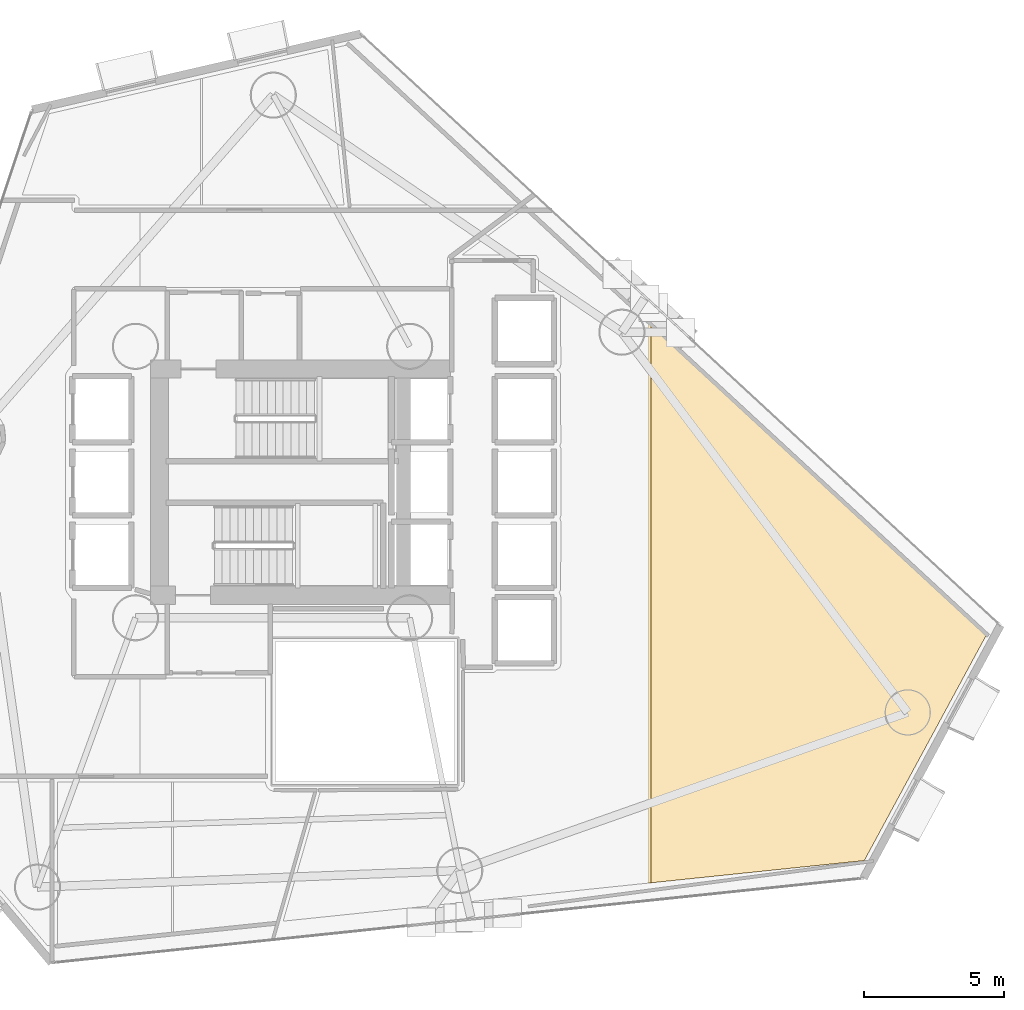
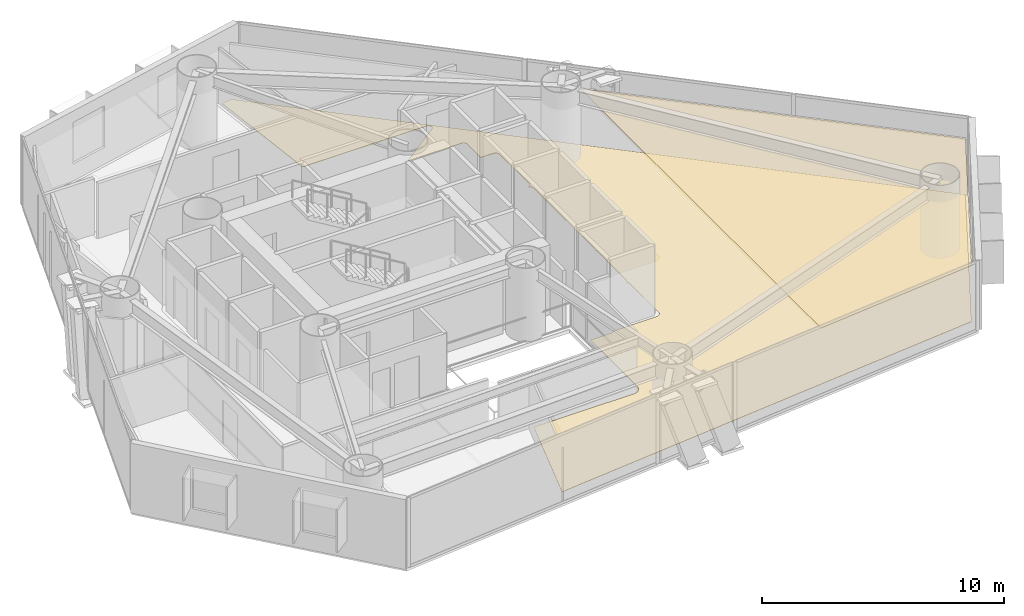
# One storey, part 23 of 23: 2 coverings.
"""IFC4 building model written with IfcOpenShell, lengths in metres."""

import ifcopenshell
import ifcopenshell.guid

model = None  # the IFC model being written
_history = None  # IfcOwnerHistory: only IFC2X3 demands one
_inside = {}  # id of a spatial element -> (the spatial element, [elements in it])
_under = {}  # id of a project, library or spatial element -> (it, [spatial elements below it])
_declared = {}  # id of a project -> (the project, [libraries it declares])
_typed = {}  # id of a type object -> (the type object, [elements of that type])
_made_of = {}  # id of a material, layer set ... -> (it, [elements and type objects made of it])


def new_model(schema):
    """Start an empty IFC model of exactly this schema.

    Asked for "IFC4X3", IfcOpenShell would pick the latest addendum, in which some entities
    have other attributes; the version numbers below select the first issue.
    IFC2X3 requires an IfcOwnerHistory on every rooted entity: one is made here for all.
    """
    global model, _history
    if schema == "IFC4X3":
        model = ifcopenshell.file(schema_version=(4, 3, 0, 0))
    else:
        model = ifcopenshell.file(schema=schema)
    _inside.clear()
    _under.clear()
    _declared.clear()
    _typed.clear()
    _made_of.clear()
    _history = None
    if model.schema == "IFC2X3":
        org = make("IfcOrganization", Name="unknown")
        user = make(
            "IfcPersonAndOrganization",
            ThePerson=make("IfcPerson", FamilyName="unknown"),
            TheOrganization=org,
        )
        app = make(
            "IfcApplication",
            ApplicationDeveloper=org,
            Version="unknown",
            ApplicationFullName="unknown",
            ApplicationIdentifier="unknown",
        )
        _history = make(
            "IfcOwnerHistory",
            OwningUser=user,
            OwningApplication=app,
            ChangeAction="ADDED",
            CreationDate=0,
        )
    return model


def make(cls, **values):
    """One entity of the class cls with the attributes given. An attribute that is None is left unset."""
    return model.create_entity(
        cls, **{name: value for name, value in values.items() if value is not None}
    )


def rooted(cls, **values):
    """An entity with a GlobalId (a new one), such as an element, a storey or a relation."""
    return make(cls, GlobalId=ifcopenshell.guid.new(), OwnerHistory=_history, **values)


def si_unit(unit_type, name, prefix=None):
    """IfcSIUnit, for example si_unit("LENGTHUNIT", "METRE", prefix="MILLI")."""
    return make("IfcSIUnit", UnitType=unit_type, Prefix=prefix, Name=name)


def assignment(units):
    """IfcUnitAssignment: the units of a project."""
    return None if units is None else make("IfcUnitAssignment", Units=units)


def point(xyz):
    """IfcCartesianPoint."""
    return None if xyz is None else make("IfcCartesianPoint", Coordinates=xyz)


def direction(xyz):
    """IfcDirection."""
    return None if xyz is None else make("IfcDirection", DirectionRatios=xyz)


def frame(location, z_axis=None, x_axis=None):
    """IfcAxis2Placement3D, a coordinate frame: its origin and axes. An axis left out is left unset."""
    return make(
        "IfcAxis2Placement3D",
        Location=point(location),
        Axis=direction(z_axis),
        RefDirection=direction(x_axis),
    )


def origin():
    """The frame at (0, 0, 0) with its axes left unset."""
    return frame((0.0, 0.0, 0.0))


def place(relative_to, where):
    """IfcLocalPlacement: puts the frame where relative to a parent placement (None: the world)."""
    return make(
        "IfcLocalPlacement", PlacementRelTo=relative_to, RelativePlacement=where
    )


def context(
    kind, dimensions, precision=None, world=None, true_north=None, identifier=None
):
    """IfcGeometricRepresentationContext, for example the 3D "Model" context."""
    return make(
        "IfcGeometricRepresentationContext",
        ContextIdentifier=identifier,
        ContextType=kind,
        CoordinateSpaceDimension=dimensions,
        Precision=precision,
        WorldCoordinateSystem=world,
        TrueNorth=true_north,
    )


def subcontext(parent, identifier, kind, view, scale=None):
    """IfcGeometricRepresentationSubContext, for example "Body" below "Model"."""
    return make(
        "IfcGeometricRepresentationSubContext",
        ContextIdentifier=identifier,
        ContextType=kind,
        ParentContext=parent,
        TargetScale=scale,
        TargetView=view,
    )


def project(units=None, contexts=None):
    """IfcProject with its units and contexts."""
    return rooted(
        "IfcProject",
        Name="project",
        RepresentationContexts=contexts,
        UnitsInContext=assignment(units),
    )


def spatial(cls, under=None, at=None, **own):
    """A site, building, storey or space (cls), placed at a placement, below another one or the project."""
    s = rooted(cls, ObjectPlacement=at, **own)
    if under is not None:
        _under.setdefault(under.id(), (under, []))[1].append(s)
    return s


def polyline(points):
    """IfcPolyline through the points."""
    return make("IfcPolyline", Points=[point(p) for p in points])


def outline(outer, holes=None, kind="AREA"):
    """IfcArbitraryClosedProfileDef: a profile drawn as a closed curve; with holes, ...WithVoids."""
    if holes is None:
        return make("IfcArbitraryClosedProfileDef", ProfileType=kind, OuterCurve=outer)
    return make(
        "IfcArbitraryProfileDefWithVoids",
        ProfileType=kind,
        OuterCurve=outer,
        InnerCurves=holes,
    )


def extrude(swept, where, along, depth):
    """IfcExtrudedAreaSolid: the profile swept, set in the frame where, extruded along a direction by depth."""
    return make(
        "IfcExtrudedAreaSolid",
        SweptArea=swept,
        Position=where,
        ExtrudedDirection=direction(along),
        Depth=depth,
    )


def shape(context_of_items, identifier, shape_type, items):
    """IfcShapeRepresentation: the items that make up one representation, for example the "Body"."""
    return make(
        "IfcShapeRepresentation",
        ContextOfItems=context_of_items,
        RepresentationIdentifier=identifier,
        RepresentationType=shape_type,
        Items=items,
    )


def material(Name=None, Category=None):
    """IfcMaterial."""
    return make("IfcMaterial", Name=Name, Category=Category)


def layer(
    of_material, thickness, ventilated=None, Name=None, Category=None, Priority=None
):
    """IfcMaterialLayer: one layer of a wall or slab, of a material (None: an air gap)."""
    return make(
        "IfcMaterialLayer",
        Material=of_material,
        LayerThickness=thickness,
        IsVentilated=ventilated,
        Name=Name,
        Category=Category,
        Priority=Priority,
    )


def layer_set(layers, Name=None):
    """IfcMaterialLayerSet."""
    return make("IfcMaterialLayerSet", MaterialLayers=layers, LayerSetName=Name)


def made_of(thing, what):
    """Note that an element or type object is made of a material, layer set ...; save() writes the relation."""
    if what is not None:
        _made_of.setdefault(what.id(), (what, []))[1].append(thing)
    return thing


def type_object(cls, material=None, **own):
    """A type object (cls), such as IfcWallType, which elements share."""
    return made_of(rooted(cls, **own), material)


def element(
    cls,
    number,
    at=None,
    inside=None,
    cuts=None,
    type_object=None,
    material=None,
    context=None,
    identifier="Body",
    shape_type=None,
    held_by="IfcProductDefinitionShape",
    body=None,
    shapes=None,
    **own,
):
    """One element of the class cls, such as IfcWall. Its Tag is "e" and its number.

    at: its placement. inside: the storey or other place that contains it. cuts: it is an
    opening in that element (IfcRelVoidsElement). A single representation is given by context,
    identifier, shape_type and body (its items); several are given by shapes. held_by: the class
    of the entity that holds the representations. save() writes the other relations.
    """
    e = rooted(cls, Tag="e%d" % number, ObjectPlacement=at, **own)
    if body is not None:
        shapes = [shape(context, identifier, shape_type, body)]
    if shapes is not None:
        e.Representation = make(held_by, Representations=shapes)
    if inside is not None:
        _inside.setdefault(inside.id(), (inside, []))[1].append(e)
    if cuts is not None:
        rooted(
            "IfcRelVoidsElement", RelatingBuildingElement=cuts, RelatedOpeningElement=e
        )
    if type_object is not None:
        _typed.setdefault(type_object.id(), (type_object, []))[1].append(e)
    return made_of(e, material)


def aggregate(whole, parts):
    """IfcRelAggregates: a whole, such as a stair, and the parts it consists of."""
    return rooted("IfcRelAggregates", RelatingObject=whole, RelatedObjects=parts)


def save(model, path):
    """Write the relations noted so far, then the file.

    IfcRelAggregates (storeys below a building ...), IfcRelContainedInSpatialStructure (elements
    in a storey), IfcRelDefinesByType, IfcRelAssociatesMaterial and IfcRelDeclares: one each for
    every whole, place, type object, material and project.
    """
    for whole, parts in _under.values():
        aggregate(whole, parts)
    for where, things in _inside.values():
        rooted(
            "IfcRelContainedInSpatialStructure",
            RelatedElements=things,
            RelatingStructure=where,
        )
    for kind, things in _typed.values():
        rooted("IfcRelDefinesByType", RelatedObjects=things, RelatingType=kind)
    for what, things in _made_of.values():
        rooted("IfcRelAssociatesMaterial", RelatedObjects=things, RelatingMaterial=what)
    for by, libraries in _declared.values():
        rooted("IfcRelDeclares", RelatingContext=by, RelatedDefinitions=libraries)
    model.write(path)


model = new_model("IFC4")

# Units and contexts
model_context = context("Model", 3, precision=1e-05, world=origin(), true_north=direction((0.0, 1.0)))
body_context = subcontext(model_context, "Body", "Model", "MODEL_VIEW")
ifc_project = project(units=[si_unit("LENGTHUNIT", "METRE"), si_unit("AREAUNIT", "SQUARE_METRE"), si_unit("VOLUMEUNIT", "CUBIC_METRE"), si_unit("PLANEANGLEUNIT", "RADIAN"), si_unit("MASSUNIT", "GRAM", prefix="KILO")], contexts=[model_context])

# Site, building, storey
site_placement = place(None, origin())
site = spatial("IfcSite", under=ifc_project, at=site_placement, CompositionType="ELEMENT")
building_placement = place(site_placement, origin())
building = spatial("IfcBuilding", under=site, at=building_placement, Name="Qianvela Tower", CompositionType="ELEMENT")
storey_placement = place(building_placement, frame((0.0, 0.0, 67.300048828125)))
storey = spatial("IfcBuildingStorey", under=building, at=storey_placement, Name="L16", CompositionType="ELEMENT", Elevation=67.300048828125)

# Coverings
ifc_material_1 = material(Name="Perforated Mineral Acoustic Ceiling Tile")
ifc_layer_1 = layer(ifc_material_1, 0.02490234375)
ifc_layer_set_1 = layer_set([ifc_layer_1], Name="Perforated Mineral Acoustic Ceiling Tile")
covering_type_1 = type_object("IfcCoveringType", Name="COV-CEIL-ACOUSTIC-25", PredefinedType="CEILING", material=ifc_layer_set_1)
covering_1_placement = place(storey_placement, frame((0.0, 0.0, 2.81494140625)))
element("IfcCovering", 1, at=covering_1_placement, inside=storey, type_object=covering_type_1, Name="L16 Acoustic Ceiling Bay 2 Tutorial Breakout Seminar L16-03", PredefinedType="CEILING", context=body_context, shape_type="SweptSolid", body=[
    extrude(outline(polyline([(58.996337890625, 23.212646484375), (54.645751953125, 15.174072265625), (47.020751953125, 14.37890625), (47.020751953125, 34.28369140625), (58.996337890625, 23.212646484375)])), origin(), (0.0, 0.0, 1.0), 0.02490234375),
])
ifc_material_2 = material(Name="Engineered Acoustic Oak Timber Flooring", Category="wood")
ifc_layer_2 = layer(ifc_material_2, 0.02001953125)
ifc_layer_set_2 = layer_set([ifc_layer_2], Name="Engineered Acoustic Oak Timber Flooring")
covering_type_2 = type_object("IfcCoveringType", Name="COV-FLOOR-OAK-20", PredefinedType="FLOORING", material=ifc_layer_set_2)
covering_2_placement = place(storey_placement, origin())
element("IfcCovering", 2, at=covering_2_placement, inside=storey, type_object=covering_type_2, Name="L16 Finish Flooring Tutorial Breakout Seminar L16-03", PredefinedType="FLOORING", context=body_context, shape_type="SweptSolid", body=[
    extrude(outline(polyline([(43.73779296875, 24.75146484375), (43.785888671875, 24.83154296875), (43.7900390625, 24.839111328125), (43.793212890625, 24.84716796875), (43.79541015625, 24.85546875), (43.796875, 24.864013671875), (43.79736328125, 24.87255859375), (43.800048828125, 27.2998046875), (43.799560546875, 27.307861328125), (43.79833984375, 27.31591796875), (43.79638671875, 27.323486328125), (43.793701171875, 27.3310546875), (43.7646484375, 27.39990234375), (43.793701171875, 27.468994140625), (43.79638671875, 27.476318359375), (43.79833984375, 27.484130859375), (43.799560546875, 27.491943359375), (43.800048828125, 27.5), (43.800048828125, 29.89990234375), (43.799560546875, 29.907958984375), (43.79833984375, 29.915771484375), (43.79638671875, 29.923583984375), (43.793701171875, 29.93115234375), (43.7646484375, 30.0), (43.793701171875, 30.06884765625), (43.79638671875, 30.076416015625), (43.79833984375, 30.084228515625), (43.799560546875, 30.09228515625), (43.800048828125, 30.10009765625), (43.7939453125, 32.540771484375), (43.793701171875, 32.548583984375), (43.79248046875, 32.556396484375), (43.79052734375, 32.56396484375), (43.787841796875, 32.5712890625), (43.784423828125, 32.578369140625), (43.780517578125, 32.585205078125), (43.7353515625, 32.652587890625), (43.73095703125, 32.658447265625), (43.726318359375, 32.6640625), (43.720947265625, 32.6689453125), (43.715087890625, 32.673583984375), (43.708984375, 32.677490234375), (43.702392578125, 32.680908203125), (43.69580078125, 32.68359375), (43.644287109375, 32.701904296875), (43.722412109375, 32.739013671875), (43.729248046875, 32.74267578125), (43.73583984375, 32.746826171875), (43.741943359375, 32.751953125), (43.74755859375, 32.757568359375), (43.75244140625, 32.763427734375), (43.7568359375, 32.77001953125), (43.760498046875, 32.777099609375), (43.763427734375, 32.7841796875), (43.79541015625, 32.873046875), (43.79736328125, 32.879638671875), (43.798828125, 32.886474609375), (43.7998046875, 32.893310546875), (43.800048828125, 32.900146484375), (43.7939453125, 35.3408203125), (43.793701171875, 35.3486328125), (43.79248046875, 35.3564453125), (43.79052734375, 35.364013671875), (43.787841796875, 35.371337890625), (43.784423828125, 35.37841796875), (43.780517578125, 35.385009765625), (43.7353515625, 35.45263671875), (43.730712890625, 35.458984375), (43.725341796875, 35.46484375), (43.719482421875, 35.47021484375), (43.71337890625, 35.474609375), (43.70654296875, 35.478759765625), (43.699462890625, 35.482177734375), (43.624267578125, 35.51318359375), (43.616943359375, 35.515869140625), (43.609375, 35.517822265625), (43.6015625, 35.518798828125), (43.59375, 35.519287109375), (43.0, 35.52001953125), (43.010009765625, 36.6494140625), (43.009765625, 36.6572265625), (43.008544921875, 36.6650390625), (43.006591796875, 36.6728515625), (43.00390625, 36.680419921875), (43.00048828125, 36.6875), (42.99658203125, 36.6943359375), (42.947021484375, 36.768310546875), (42.9423828125, 36.774658203125), (42.937255859375, 36.780517578125), (42.931396484375, 36.78564453125), (42.925048828125, 36.790283203125), (42.91845703125, 36.79443359375), (42.911376953125, 36.7978515625), (42.904052734375, 36.80029296875), (42.896484375, 36.80224609375), (42.888671875, 36.803466796875), (42.880859375, 36.803955078125), (40.26220703125, 36.8095703125), (42.298583984375, 38.321533203125), (42.3046875, 38.32666015625), (42.310302734375, 38.332275390625), (42.315185546875, 38.33837890625), (42.319580078125, 38.34521484375), (42.323486328125, 38.352294921875), (42.35546875, 38.422119140625), (42.3583984375, 38.42919921875), (42.360595703125, 38.4365234375), (42.362060546875, 38.444091796875), (42.36279296875, 38.45166015625), (42.36279296875, 38.459228515625), (42.362060546875, 38.466796875), (42.360595703125, 38.474365234375), (42.3583984375, 38.481689453125), (42.355712890625, 38.48876953125), (42.35205078125, 38.49560546875), (42.347900390625, 38.501953125), (42.29931640625, 38.570068359375), (42.294677734375, 38.576171875), (42.289306640625, 38.58154296875), (42.28369140625, 38.586669921875), (42.277587890625, 38.591064453125), (42.27099609375, 38.5947265625), (42.263916015625, 38.597900390625), (42.2568359375, 38.600341796875), (42.24951171875, 38.602294921875), (42.241943359375, 38.603271484375), (42.234375, 38.603759765625), (36.29736328125, 38.60986328125), (35.708251953125, 44.215087890625), (36.16455078125, 44.3203125), (58.996337890625, 23.212646484375), (54.645751953125, 15.174072265625), (33.878662109375, 13.008544921875), (35.204345703125, 17.639892578125), (40.0, 17.639892578125), (40.006591796875, 17.640380859375), (40.012939453125, 17.64111328125), (40.019287109375, 17.642333984375), (40.1513671875, 17.675537109375), (40.15966796875, 17.677978515625), (40.16748046875, 17.681396484375), (40.175048828125, 17.685791015625), (40.18212890625, 17.690673828125), (40.188720703125, 17.696533203125), (40.303466796875, 17.811279296875), (40.309326171875, 17.81787109375), (40.314208984375, 17.824951171875), (40.318603515625, 17.83251953125), (40.322021484375, 17.84033203125), (40.324462890625, 17.8486328125), (40.357666015625, 17.980712890625), (40.35888671875, 17.987060546875), (40.359619140625, 17.993408203125), (40.360107421875, 18.0), (40.360107421875, 21.889892578125), (41.367919921875, 21.890380859375), (41.375732421875, 21.890869140625), (41.383544921875, 21.891845703125), (41.39111328125, 21.893798828125), (41.3984375, 21.896484375), (41.405517578125, 21.89990234375), (41.45947265625, 21.9287109375), (41.46630859375, 21.932861328125), (41.472900390625, 21.9375), (41.478759765625, 21.943115234375), (41.48388671875, 21.948974609375), (41.48876953125, 21.955322265625), (41.492919921875, 21.96240234375), (41.49609375, 21.969482421875), (41.498779296875, 21.97705078125), (41.49951171875, 21.97998046875), (43.580078125, 21.97998046875), (43.587890625, 21.98046875), (43.595703125, 21.9814453125), (43.603271484375, 21.9833984375), (43.610595703125, 21.986083984375), (43.61767578125, 21.989501953125), (43.734130859375, 22.0517578125), (43.740966796875, 22.0556640625), (43.747314453125, 22.060302734375), (43.7529296875, 22.065673828125), (43.75830078125, 22.071533203125), (43.762939453125, 22.077880859375), (43.76708984375, 22.08447265625), (43.770263671875, 22.091552734375), (43.77294921875, 22.09912109375), (43.796630859375, 22.1767578125), (43.798583984375, 22.184326171875), (43.799560546875, 22.192138671875), (43.800048828125, 22.199951171875), (43.800048828125, 24.60009765625), (43.7998046875, 24.60693359375), (43.798828125, 24.61376953125), (43.79736328125, 24.620361328125), (43.79541015625, 24.626953125), (43.763427734375, 24.7158203125), (43.760498046875, 24.722900390625), (43.7568359375, 24.72998046875), (43.75244140625, 24.736572265625), (43.74755859375, 24.742431640625), (43.741943359375, 24.748046875), (43.73779296875, 24.75146484375)])), origin(), (0.0, 0.0, 1.0), 0.02001953125),
])

save(model, "model.ifc")
